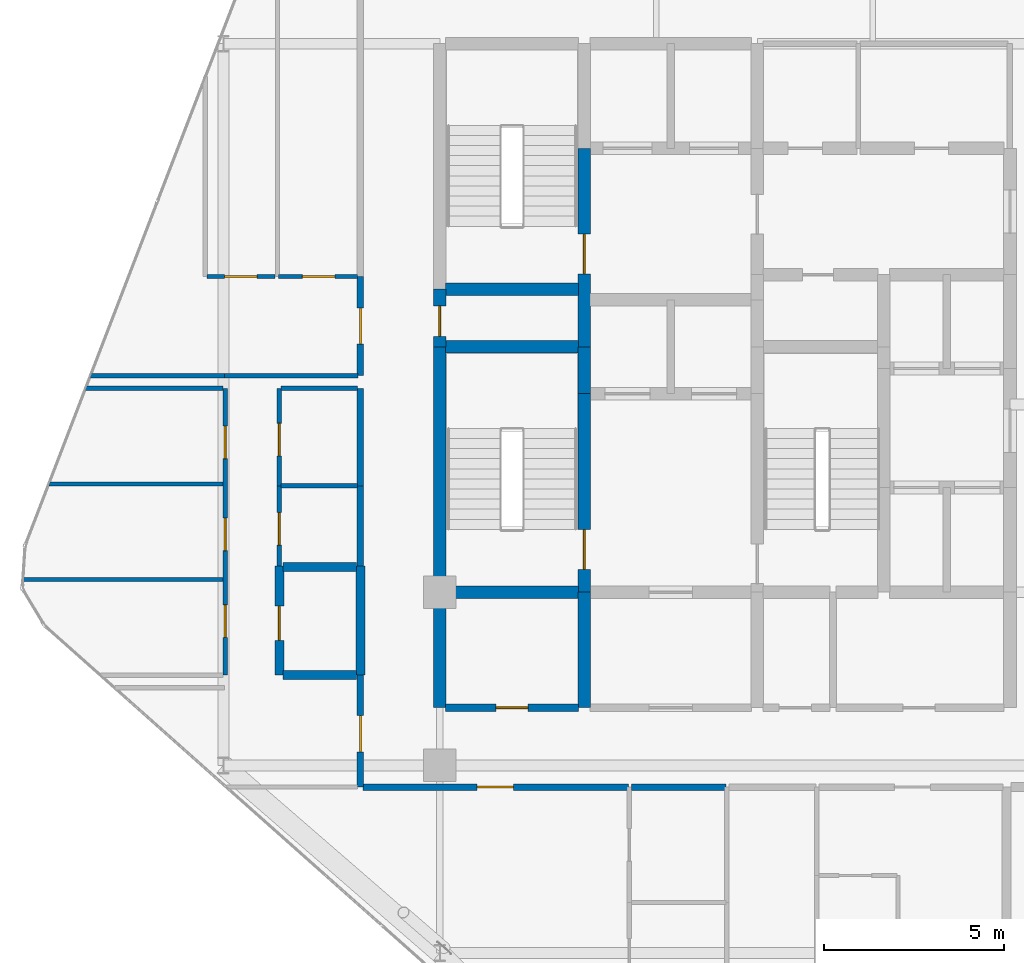
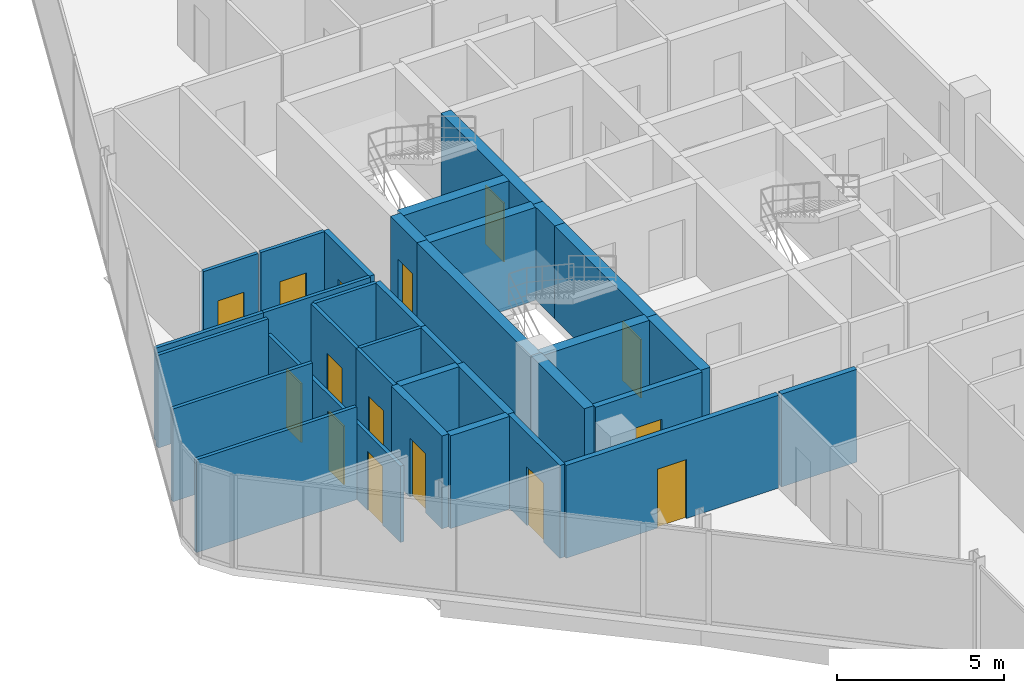
# One storey, part 24 of 29: 33 walls, 15 doors, 15 openings.
"""IFC4 building model written with IfcOpenShell, lengths in metres."""

from ifc_helpers import new_model, si_unit, direction, frame, frame_2d, origin, place, context, subcontext, project, spatial, rectangle, extrude, material, layer, layer_set, type_object, element, fill, save


model = new_model("IFC4")

# Units and contexts
model_context = context("Model", 3, precision=1e-05, world=origin(), true_north=direction((0.0, 1.0)))
body_context = subcontext(model_context, "Body", "Model", "MODEL_VIEW")
ifc_project = project(units=[si_unit("LENGTHUNIT", "METRE"), si_unit("AREAUNIT", "SQUARE_METRE"), si_unit("VOLUMEUNIT", "CUBIC_METRE"), si_unit("PLANEANGLEUNIT", "RADIAN"), si_unit("MASSUNIT", "GRAM", prefix="KILO")], contexts=[model_context])

# Site, building, storey
site_placement = place(None, origin())
site = spatial("IfcSite", under=ifc_project, at=site_placement, CompositionType="ELEMENT")
building_placement = place(site_placement, origin())
building = spatial("IfcBuilding", under=site, at=building_placement, Name="Keshet Zoharim Tower", CompositionType="ELEMENT")
storey_placement = place(building_placement, frame((0.0, 0.0, 169.10009765625)))
storey = spatial("IfcBuildingStorey", under=building, at=storey_placement, Name="L41", CompositionType="ELEMENT", Elevation=169.10009765625)

# Walls
ifc_material_1 = material(Name="Concrete C60/75", Category="concrete")
ifc_layer_1 = layer(ifc_material_1, 0.35009765625)
ifc_layer_set_1 = layer_set([ifc_layer_1], Name="Concrete C60/75")
wall_type_1 = type_object("IfcWallType", Name="WL-CORE-350", PredefinedType="SHEAR", material=ifc_layer_set_1)
wall_1_placement = place(storey_placement, frame((15.0, 19.5, 0.0), z_axis=(0.0, 0.0, 1.0), x_axis=(0.0, 1.0, 0.0)))
element("IfcWall", 1, at=wall_1_placement, inside=storey, type_object=wall_type_1, Name="L41 Core Shear Wall 013", PredefinedType="SHEAR", context=body_context, shape_type="SweptSolid", body=[
    extrude(rectangle(XDim=3.199951171875, YDim=0.35009765625, at=frame_2d((1.60009765625, 0.0))), origin(), (0.0, 0.0, 1.0), 3.389892578125),
])
wall_2_placement = place(storey_placement, frame((15.0, 22.699951171875, 0.0), z_axis=(0.0, 0.0, 1.0), x_axis=(0.0, 1.0, 0.0)))
element("IfcWall", 2, at=wall_2_placement, inside=storey, type_object=wall_type_1, Name="L41 Core Shear Wall 014", PredefinedType="SHEAR", context=body_context, shape_type="SweptSolid", body=[
    extrude(rectangle(XDim=6.800048828125, YDim=0.35009765625, at=frame_2d((3.39990234375, 0.0))), origin(), (0.0, 0.0, 1.0), 3.389892578125),
])

# Wall, opening, door
wall_3_placement = place(storey_placement, frame((15.0, 29.5, 0.0), z_axis=(0.0, 0.0, 1.0), x_axis=(0.0, 1.0, 0.0)))
wall_3 = element("IfcWall", 3, at=wall_3_placement, inside=storey, type_object=wall_type_1, Name="L41 Core Shear Wall 015", PredefinedType="SHEAR", context=body_context, shape_type="SweptSolid", body=[
    extrude(rectangle(XDim=1.60009765625, YDim=0.35009765625, at=frame_2d((0.800048828125, 0.0))), origin(), (0.0, 0.0, 1.0), 3.389892578125),
])
opening_1_placement = place(wall_3_placement, frame((0.287109375, 0.0, 0.0)))
opening_1 = element("IfcOpeningElement", 4, at=opening_1_placement, cuts=wall_3, Name="Opening D-RS85", PredefinedType="OPENING", context=body_context, shape_type="SweptSolid", body=[
    extrude(rectangle(XDim=0.85009765625, YDim=2.10009765625, at=frame_2d((0.425048828125, 1.050048828125))), frame((0.0, 0.18505859375, 0.0), z_axis=(0.0, -1.0, 0.0), x_axis=(1.0, 0.0, 0.0)), (0.0, 0.0, 1.0), 0.3701171875),
])
ifc_material_2 = material(Name="Hardwood Timber", Category="wood")
door_type_1 = type_object("IfcDoorType", Name="DR-RIS-085", OperationType="NOTDEFINED", PredefinedType="DOOR", material=ifc_material_2)
door_1_placement = place(opening_1_placement, origin())
door_1 = element("IfcDoor", 5, at=door_1_placement, inside=storey, type_object=door_type_1, Name="L41 Electrical Riser Access Cupboard Door", OperationType="SINGLE_SWING_RIGHT", OverallHeight=2.10009765625, OverallWidth=0.85009765625, PredefinedType="DOOR", context=body_context, shape_type="SweptSolid", body=[
    extrude(rectangle(XDim=0.85009765625, YDim=2.10009765625, at=frame_2d((0.425048828125, 1.050048828125))), frame((0.0, 0.02490234375, 0.0), z_axis=(0.0, -1.0, 0.0), x_axis=(1.0, 0.0, 0.0)), (0.0, 0.0, 1.0), 0.050048828125),
])
fill(opening_1, door_1)

# Wall
wall_4_placement = place(storey_placement, frame((19.0, 19.5, 0.0), z_axis=(0.0, 0.0, 1.0), x_axis=(0.0, 1.0, 0.0)))
element("IfcWall", 6, at=wall_4_placement, inside=storey, type_object=wall_type_1, Name="L41 Core Shear Wall 021", PredefinedType="SHEAR", context=body_context, shape_type="SweptSolid", body=[
    extrude(rectangle(XDim=3.199951171875, YDim=0.35009765625, at=frame_2d((1.60009765625, 0.0))), origin(), (0.0, 0.0, 1.0), 3.389892578125),
])

# Wall, opening, door
wall_5_placement = place(storey_placement, frame((19.0, 22.699951171875, 0.0), z_axis=(0.0, 0.0, 1.0), x_axis=(0.0, 1.0, 0.0)))
wall_5 = element("IfcWall", 7, at=wall_5_placement, inside=storey, type_object=wall_type_1, Name="L41 Core Shear Wall 022", PredefinedType="SHEAR", context=body_context, shape_type="SweptSolid", body=[
    extrude(rectangle(XDim=5.5, YDim=0.35009765625, at=frame_2d((2.75, 0.0))), origin(), (0.0, 0.0, 1.0), 3.389892578125),
])
opening_2_placement = place(wall_5_placement, frame((0.631103515625, 0.0, 0.0)))
opening_2 = element("IfcOpeningElement", 8, at=opening_2_placement, cuts=wall_5, Name="Opening D-F611", PredefinedType="OPENING", context=body_context, shape_type="SweptSolid", body=[
    extrude(rectangle(XDim=1.10009765625, YDim=2.14990234375, at=frame_2d((0.550048828125, 1.074951171875))), frame((0.0, 0.18505859375, 0.0), z_axis=(0.0, -1.0, 0.0), x_axis=(1.0, 0.0, 0.0)), (0.0, 0.0, 1.0), 0.3701171875),
])
door_type_2 = type_object("IfcDoorType", Name="DR-FD60-110", OperationType="NOTDEFINED", PredefinedType="DOOR", material=ifc_material_2)
door_2_placement = place(opening_2_placement, origin())
door_2 = element("IfcDoor", 9, at=door_2_placement, inside=storey, type_object=door_type_2, Name="L41 Exit Stair ST-01 Fire Door", OperationType="SINGLE_SWING_LEFT", OverallHeight=2.14990234375, OverallWidth=1.10009765625, PredefinedType="DOOR", context=body_context, shape_type="SweptSolid", body=[
    extrude(rectangle(XDim=1.10009765625, YDim=2.14990234375, at=frame_2d((0.550048828125, 1.074951171875))), frame((0.0, 0.02490234375, 0.0), z_axis=(0.0, -1.0, 0.0), x_axis=(1.0, 0.0, 0.0)), (0.0, 0.0, 1.0), 0.050048828125),
])
fill(opening_2, door_2)

# Wall
wall_6_placement = place(storey_placement, frame((19.0, 28.199951171875, 0.0), z_axis=(0.0, 0.0, 1.0), x_axis=(0.0, 1.0, 0.0)))
element("IfcWall", 10, at=wall_6_placement, inside=storey, type_object=wall_type_1, Name="L41 Core Shear Wall 023", PredefinedType="SHEAR", context=body_context, shape_type="SweptSolid", body=[
    extrude(rectangle(XDim=1.300048828125, YDim=0.35009765625, at=frame_2d((0.64990234375, 0.0))), origin(), (0.0, 0.0, 1.0), 3.389892578125),
])

# Wall, opening, door
wall_7_placement = place(storey_placement, frame((19.0, 29.5, 0.0), z_axis=(0.0, 0.0, 1.0), x_axis=(0.0, 1.0, 0.0)))
wall_7 = element("IfcWall", 11, at=wall_7_placement, inside=storey, type_object=wall_type_1, Name="L41 Core Shear Wall 024", PredefinedType="SHEAR", context=body_context, shape_type="SweptSolid", body=[
    extrude(rectangle(XDim=5.5, YDim=0.35009765625, at=frame_2d((2.75, 0.0))), origin(), (0.0, 0.0, 1.0), 3.389892578125),
])
opening_3_placement = place(wall_7_placement, frame((2.02490234375, 0.0, 0.0)))
opening_3 = element("IfcOpeningElement", 12, at=opening_3_placement, cuts=wall_7, Name="Opening D-F611", PredefinedType="OPENING", context=body_context, shape_type="SweptSolid", body=[
    extrude(rectangle(XDim=1.10009765625, YDim=2.14990234375, at=frame_2d((0.550048828125, 1.074951171875))), frame((0.0, 0.18505859375, 0.0), z_axis=(0.0, -1.0, 0.0), x_axis=(1.0, 0.0, 0.0)), (0.0, 0.0, 1.0), 0.3701171875),
])
door_3_placement = place(opening_3_placement, origin())
door_3 = element("IfcDoor", 13, at=door_3_placement, inside=storey, type_object=door_type_2, Name="L41 Exit Stair ST-02 Fire Door", OperationType="SINGLE_SWING_RIGHT", OverallHeight=2.14990234375, OverallWidth=1.10009765625, PredefinedType="DOOR", context=body_context, shape_type="SweptSolid", body=[
    extrude(rectangle(XDim=1.10009765625, YDim=2.14990234375, at=frame_2d((0.550048828125, 1.074951171875))), frame((0.0, 0.02490234375, 0.0), z_axis=(0.0, -1.0, 0.0), x_axis=(1.0, 0.0, 0.0)), (0.0, 0.0, 1.0), 0.050048828125),
])
fill(opening_3, door_3)

# Walls
for number, where, z_axis, x_axis, name in (
    (14, (15.159912109375, 22.699951171875, 0.0), (0.0, 0.0, 1.0), (1.0, 0.0, 0.0), "L41 Core Shear Wall 131"),
    (15, (15.159912109375, 29.5, 0.0), (0.0, 0.0, 1.0), (1.0, 0.0, 0.0), "L41 Core Shear Wall 147"),
    (16, (15.159912109375, 31.10009765625, 0.0), (0.0, 0.0, 1.0), (1.0, 0.0, 0.0), "L41 Core Shear Wall 150"),
):
    element("IfcWall", number, at=place(storey_placement, frame(where, z_axis=z_axis, x_axis=x_axis)), inside=storey, type_object=wall_type_1, Name=name, PredefinedType="SHEAR", context=body_context, shape_type="SweptSolid", body=[
        extrude(rectangle(XDim=3.68017578125, YDim=0.35009765625, at=frame_2d((1.840087890625, 0.0))), origin(), (0.0, 0.0, 1.0), 3.389892578125),
    ])

# Wall, opening, door
ifc_material_3 = material(Name="Gypsum Plasterboard", Category="gypsum")
ifc_layer_2 = layer(ifc_material_3, 0.179931640625)
ifc_layer_set_2 = layer_set([ifc_layer_2], Name="Gypsum Plasterboard")
wall_type_2 = type_object("IfcWallType", Name="WL-CORR-180", PredefinedType="STANDARD", material=ifc_layer_set_2)
wall_8_placement = place(storey_placement, frame((12.800048828125, 17.300048828125, 0.0), z_axis=(0.0, 0.0, 1.0), x_axis=(0.0, 1.0, 0.0)))
wall_8 = element("IfcWall", 17, at=wall_8_placement, inside=storey, type_object=wall_type_2, Name="L41 Interior Wall 007", PredefinedType="STANDARD", context=body_context, shape_type="SweptSolid", body=[
    extrude(rectangle(XDim=3.099853515625, YDim=0.179931640625, at=frame_2d((1.5498046875, 0.0))), origin(), (0.0, 0.0, 1.0), 3.389892578125),
])
opening_4_placement = place(wall_8_placement, frame((0.97802734375, 0.0, 0.0)))
opening_4 = element("IfcOpeningElement", 18, at=opening_4_placement, cuts=wall_8, Name="Opening D-F310", PredefinedType="OPENING", context=body_context, shape_type="SweptSolid", body=[
    extrude(rectangle(XDim=1.0, YDim=2.14990234375, at=frame_2d((0.5, 1.074951171875))), frame((0.0, 0.10009765625, 0.0), z_axis=(0.0, -1.0, 0.0), x_axis=(1.0, 0.0, 0.0)), (0.0, 0.0, 1.0), 0.199951171875),
])
door_type_3 = type_object("IfcDoorType", Name="DR-FD30-100", OperationType="NOTDEFINED", PredefinedType="DOOR", material=ifc_material_2)
door_4_placement = place(opening_4_placement, origin())
door_4 = element("IfcDoor", 19, at=door_4_placement, inside=storey, type_object=door_type_3, Name="Apartment 4107 Entrance Door", OperationType="SINGLE_SWING_RIGHT", OverallHeight=2.14990234375, OverallWidth=1.0, PredefinedType="DOOR", context=body_context, shape_type="SweptSolid", body=[
    extrude(rectangle(XDim=1.0, YDim=2.14990234375, at=frame_2d((0.5, 1.074951171875))), frame((0.0, 0.02490234375, 0.0), z_axis=(0.0, -1.0, 0.0), x_axis=(1.0, 0.0, 0.0)), (0.0, 0.0, 1.0), 0.050048828125),
])
fill(opening_4, door_4)

# Walls
wall_9_placement = place(storey_placement, frame((12.800048828125, 23.4208984375, 0.0), z_axis=(0.0, 0.0, 1.0), x_axis=(0.0, 1.0, 0.0)))
element("IfcWall", 20, at=wall_9_placement, inside=storey, type_object=wall_type_2, Name="L41 Interior Wall 009", PredefinedType="STANDARD", context=body_context, shape_type="SweptSolid", body=[
    extrude(rectangle(XDim=2.22607421875, YDim=0.179931640625, at=frame_2d((1.113037109375, 0.0))), origin(), (0.0, 0.0, 1.0), 3.389892578125),
])
wall_10_placement = place(storey_placement, frame((12.800048828125, 25.64697265625, 0.0), z_axis=(0.0, 0.0, 1.0), x_axis=(0.0, 1.0, 0.0)))
element("IfcWall", 21, at=wall_10_placement, inside=storey, type_object=wall_type_2, Name="L41 Interior Wall 010", PredefinedType="STANDARD", context=body_context, shape_type="SweptSolid", body=[
    extrude(rectangle(XDim=2.703125, YDim=0.179931640625, at=frame_2d((1.3515625, 0.0))), origin(), (0.0, 0.0, 1.0), 3.389892578125),
])

# Wall, opening, door
wall_11_placement = place(storey_placement, frame((12.800048828125, 28.699951171875, 0.0), z_axis=(0.0, 0.0, 1.0), x_axis=(0.0, 1.0, 0.0)))
wall_11 = element("IfcWall", 22, at=wall_11_placement, inside=storey, type_object=wall_type_2, Name="L41 Interior Wall 011", PredefinedType="STANDARD", context=body_context, shape_type="SweptSolid", body=[
    extrude(rectangle(XDim=2.75, YDim=0.179931640625, at=frame_2d((1.375, 0.0))), origin(), (0.0, 0.0, 1.0), 3.389892578125),
])
opening_5_placement = place(wall_11_placement, frame((0.875, 0.0, 0.0)))
opening_5 = element("IfcOpeningElement", 23, at=opening_5_placement, cuts=wall_11, Name="Opening D-F310", PredefinedType="OPENING", context=body_context, shape_type="SweptSolid", body=[
    extrude(rectangle(XDim=1.0, YDim=2.14990234375, at=frame_2d((0.5, 1.074951171875))), frame((0.0, 0.10009765625, 0.0), z_axis=(0.0, -1.0, 0.0), x_axis=(1.0, 0.0, 0.0)), (0.0, 0.0, 1.0), 0.199951171875),
])
door_5_placement = place(opening_5_placement, origin())
door_5 = element("IfcDoor", 24, at=door_5_placement, inside=storey, type_object=door_type_3, Name="Apartment 4108 Entrance Door", OperationType="SINGLE_SWING_LEFT", OverallHeight=2.14990234375, OverallWidth=1.0, PredefinedType="DOOR", context=body_context, shape_type="SweptSolid", body=[
    extrude(rectangle(XDim=1.0, YDim=2.14990234375, at=frame_2d((0.5, 1.074951171875))), frame((0.0, 0.02490234375, 0.0), z_axis=(0.0, -1.0, 0.0), x_axis=(1.0, 0.0, 0.0)), (0.0, 0.0, 1.0), 0.050048828125),
])
fill(opening_5, door_5)

wall_12_placement = place(storey_placement, frame((12.875, 17.300048828125, 0.0), z_axis=(0.0, 0.0, 1.0), x_axis=(1.0, 0.0, 0.0)))
wall_12 = element("IfcWall", 25, at=wall_12_placement, inside=storey, type_object=wall_type_2, Name="L41 Interior Wall 110", PredefinedType="STANDARD", context=body_context, shape_type="SweptSolid", body=[
    extrude(rectangle(XDim=7.35009765625, YDim=0.179931640625, at=frame_2d((3.675048828125, 0.0))), origin(), (0.0, 0.0, 1.0), 3.389892578125),
])
opening_6_placement = place(wall_12_placement, frame((3.159912109375, 0.0, 0.0)))
opening_6 = element("IfcOpeningElement", 26, at=opening_6_placement, cuts=wall_12, Name="Opening D-F310", PredefinedType="OPENING", context=body_context, shape_type="SweptSolid", body=[
    extrude(rectangle(XDim=1.0, YDim=2.14990234375, at=frame_2d((0.5, 1.074951171875))), frame((0.0, 0.10009765625, 0.0), z_axis=(0.0, -1.0, 0.0), x_axis=(1.0, 0.0, 0.0)), (0.0, 0.0, 1.0), 0.199951171875),
])
door_6_placement = place(opening_6_placement, origin())
door_6 = element("IfcDoor", 27, at=door_6_placement, inside=storey, type_object=door_type_3, Name="Apartment 4101 Entrance Door", OperationType="SINGLE_SWING_RIGHT", OverallHeight=2.14990234375, OverallWidth=1.0, PredefinedType="DOOR", context=body_context, shape_type="SweptSolid", body=[
    extrude(rectangle(XDim=1.0, YDim=2.14990234375, at=frame_2d((0.5, 1.074951171875))), frame((0.0, 0.02490234375, 0.0), z_axis=(0.0, -1.0, 0.0), x_axis=(1.0, 0.0, 0.0)), (0.0, 0.0, 1.0), 0.050048828125),
])
fill(opening_6, door_6)

# Wall
wall_13_placement = place(storey_placement, frame((20.31494140625, 17.300048828125, 0.0), z_axis=(0.0, 0.0, 1.0), x_axis=(1.0, 0.0, 0.0)))
element("IfcWall", 28, at=wall_13_placement, inside=storey, type_object=wall_type_2, Name="L41 Interior Wall 111", PredefinedType="STANDARD", context=body_context, shape_type="SweptSolid", body=[
    extrude(rectangle(XDim=2.610107421875, YDim=0.179931640625, at=frame_2d((1.30517578125, 0.0))), origin(), (0.0, 0.0, 1.0), 3.389892578125),
])

# Wall, opening, door
ifc_material_4 = material(Name="Concrete C50/60", Category="concrete")
ifc_layer_3 = layer(ifc_material_4, 0.199951171875)
ifc_layer_set_3 = layer_set([ifc_layer_3], Name="Concrete C50/60")
wall_type_3 = type_object("IfcWallType", Name="WL-FIRE-200", PredefinedType="STANDARD", material=ifc_layer_set_3)
wall_14_placement = place(storey_placement, frame((15.159912109375, 19.5, 0.0), z_axis=(0.0, 0.0, 1.0), x_axis=(1.0, 0.0, 0.0)))
wall_14 = element("IfcWall", 29, at=wall_14_placement, inside=storey, type_object=wall_type_3, Name="L41 Interior Wall 123", PredefinedType="STANDARD", context=body_context, shape_type="SweptSolid", body=[
    extrude(rectangle(XDim=3.68017578125, YDim=0.199951171875, at=frame_2d((1.840087890625, 0.0))), origin(), (0.0, 0.0, 1.0), 3.389892578125),
])
opening_7_placement = place(wall_14_placement, frame((1.389892578125, 0.0, 0.0)))
opening_7 = element("IfcOpeningElement", 30, at=opening_7_placement, cuts=wall_14, Name="Opening D-F690", PredefinedType="OPENING", context=body_context, shape_type="SweptSolid", body=[
    extrude(rectangle(XDim=0.89990234375, YDim=2.14990234375, at=frame_2d((0.449951171875, 1.074951171875))), frame((0.0, 0.10986328125, 0.0), z_axis=(0.0, -1.0, 0.0), x_axis=(1.0, 0.0, 0.0)), (0.0, 0.0, 1.0), 0.219970703125),
])
door_type_4 = type_object("IfcDoorType", Name="DR-FD60-090", OperationType="NOTDEFINED", PredefinedType="DOOR", material=ifc_material_2)
door_7_placement = place(opening_7_placement, origin())
door_7 = element("IfcDoor", 31, at=door_7_placement, inside=storey, type_object=door_type_4, Name="L41 Refuse Room Door", OperationType="SINGLE_SWING_LEFT", OverallHeight=2.14990234375, OverallWidth=0.89990234375, PredefinedType="DOOR", context=body_context, shape_type="SweptSolid", body=[
    extrude(rectangle(XDim=0.89990234375, YDim=2.14990234375, at=frame_2d((0.449951171875, 1.074951171875))), frame((0.0, 0.02490234375, 0.0), z_axis=(0.0, -1.0, 0.0), x_axis=(1.0, 0.0, 0.0)), (0.0, 0.0, 1.0), 0.050048828125),
])
fill(opening_7, door_7)

ifc_layer_4 = layer(ifc_material_4, 0.25)
ifc_layer_set_4 = layer_set([ifc_layer_4], Name="Concrete C50/60")
wall_type_4 = type_object("IfcWallType", Name="WL-MAMAD-250", PredefinedType="STANDARD", material=ifc_layer_set_4)
wall_15_placement = place(storey_placement, frame((10.550048828125, 20.39990234375, 0.0), z_axis=(0.0, 0.0, 1.0), x_axis=(0.0, 1.0, 0.0)))
wall_15 = element("IfcWall", 32, at=wall_15_placement, inside=storey, type_object=wall_type_4, Name="L41 Interior Wall 004", PredefinedType="STANDARD", context=body_context, shape_type="SweptSolid", body=[
    extrude(rectangle(XDim=3.02099609375, YDim=0.25, at=frame_2d((1.510498046875, 0.0))), origin(), (0.0, 0.0, 1.0), 3.389892578125),
])
opening_8_placement = place(wall_15_placement, frame((0.964111328125, 0.0, 0.0)))
opening_8 = element("IfcOpeningElement", 33, at=opening_8_placement, cuts=wall_15, Name="Opening D-F695", PredefinedType="OPENING", context=body_context, shape_type="SweptSolid", body=[
    extrude(rectangle(XDim=0.949951171875, YDim=2.14990234375, at=frame_2d((0.47509765625, 1.074951171875))), frame((0.0, 0.135009765625, 0.0), z_axis=(0.0, -1.0, 0.0), x_axis=(1.0, 0.0, 0.0)), (0.0, 0.0, 1.0), 0.27001953125),
])
door_type_5 = type_object("IfcDoorType", Name="DR-FD60-095", OperationType="NOTDEFINED", PredefinedType="DOOR", material=ifc_material_2)
door_8_placement = place(opening_8_placement, origin())
door_8 = element("IfcDoor", 34, at=door_8_placement, inside=storey, type_object=door_type_5, Name="Apartment 4107 Study and Shelter Room Door", OperationType="SINGLE_SWING_LEFT", OverallHeight=2.14990234375, OverallWidth=0.949951171875, PredefinedType="DOOR", context=body_context, shape_type="SweptSolid", body=[
    extrude(rectangle(XDim=0.949951171875, YDim=2.14990234375, at=frame_2d((0.47509765625, 1.074951171875))), frame((0.0, 0.02490234375, 0.0), z_axis=(0.0, -1.0, 0.0), x_axis=(1.0, 0.0, 0.0)), (0.0, 0.0, 1.0), 0.050048828125),
])
fill(opening_8, door_8)

# Walls
wall_16_placement = place(storey_placement, frame((12.800048828125, 20.39990234375, 0.0), z_axis=(0.0, 0.0, 1.0), x_axis=(0.0, 1.0, 0.0)))
element("IfcWall", 35, at=wall_16_placement, inside=storey, type_object=wall_type_4, Name="L41 Interior Wall 008", PredefinedType="STANDARD", context=body_context, shape_type="SweptSolid", body=[
    extrude(rectangle(XDim=3.02099609375, YDim=0.25, at=frame_2d((1.510498046875, 0.0))), origin(), (0.0, 0.0, 1.0), 3.389892578125),
])
for number, where, z_axis, x_axis, name in (
    (36, (10.659912109375, 20.39990234375, 0.0), (0.0, 0.0, 1.0), (1.0, 0.0, 0.0), "L41 Interior Wall 130"),
    (37, (10.659912109375, 23.39990234375, 0.0), (0.0, 0.0, 1.0), (1.0, 0.0, 0.0), "L41 Interior Wall 137"),
):
    element("IfcWall", number, at=place(storey_placement, frame(where, z_axis=z_axis, x_axis=x_axis)), inside=storey, type_object=wall_type_4, Name=name, PredefinedType="STANDARD", context=body_context, shape_type="SweptSolid", body=[
        extrude(rectangle(XDim=2.030029296875, YDim=0.25, at=frame_2d((1.01513671875, 0.0))), origin(), (0.0, 0.0, 1.0), 3.389892578125),
    ])

# Wall, openings, doors
ifc_layer_5 = layer(ifc_material_3, 0.1201171875)
ifc_layer_set_5 = layer_set([ifc_layer_5], Name="Gypsum Plasterboard")
wall_type_5 = type_object("IfcWallType", Name="WL-PART-120", PredefinedType="PARTITIONING", material=ifc_layer_set_5)
wall_17_placement = place(storey_placement, frame((9.050048828125, 20.39990234375, 0.0), z_axis=(0.0, 0.0, 1.0), x_axis=(0.0, 1.0, 0.0)))
wall_17 = element("IfcWall", 38, at=wall_17_placement, inside=storey, type_object=wall_type_5, Name="L41 Interior Wall 002", PredefinedType="PARTITIONING", context=body_context, shape_type="SweptSolid", body=[
    extrude(rectangle(XDim=7.9501953125, YDim=0.1201171875, at=frame_2d((3.97509765625, 0.0))), origin(), (0.0, 0.0, 1.0), 2.789794921875),
])
opening_9_placement = place(wall_17_placement, frame((1.050048828125, 0.0, 0.0)))
opening_9 = element("IfcOpeningElement", 39, at=opening_9_placement, cuts=wall_17, Name="Opening D-IN90", PredefinedType="OPENING", context=body_context, shape_type="SweptSolid", body=[
    extrude(rectangle(XDim=0.89990234375, YDim=2.14990234375, at=frame_2d((0.449951171875, 1.074951171875))), frame((0.0, 0.070068359375, 0.0), z_axis=(0.0, -1.0, 0.0), x_axis=(1.0, 0.0, 0.0)), (0.0, 0.0, 1.0), 0.14013671875),
])
opening_10_placement = place(wall_17_placement, frame((3.455078125, 0.0, 0.0)))
opening_10 = element("IfcOpeningElement", 40, at=opening_10_placement, cuts=wall_17, Name="Opening D-IN90", PredefinedType="OPENING", context=body_context, shape_type="SweptSolid", body=[
    extrude(rectangle(XDim=0.89990234375, YDim=2.14990234375, at=frame_2d((0.449951171875, 1.074951171875))), frame((0.0, 0.070068359375, 0.0), z_axis=(0.0, -1.0, 0.0), x_axis=(1.0, 0.0, 0.0)), (0.0, 0.0, 1.0), 0.14013671875),
])
opening_11_placement = place(wall_17_placement, frame((6.0, 0.0, 0.0)))
opening_11 = element("IfcOpeningElement", 41, at=opening_11_placement, cuts=wall_17, Name="Opening D-IN90", PredefinedType="OPENING", context=body_context, shape_type="SweptSolid", body=[
    extrude(rectangle(XDim=0.89990234375, YDim=2.14990234375, at=frame_2d((0.449951171875, 1.074951171875))), frame((0.0, 0.070068359375, 0.0), z_axis=(0.0, -1.0, 0.0), x_axis=(1.0, 0.0, 0.0)), (0.0, 0.0, 1.0), 0.14013671875),
])
door_type_6 = type_object("IfcDoorType", Name="DR-INT-090", OperationType="NOTDEFINED", PredefinedType="DOOR", material=ifc_material_2)
door_9_placement = place(opening_9_placement, origin())
door_9 = element("IfcDoor", 42, at=door_9_placement, inside=storey, type_object=door_type_6, Name="Apartment 4107 Bedroom 1 Door", OperationType="SINGLE_SWING_RIGHT", OverallHeight=2.14990234375, OverallWidth=0.89990234375, PredefinedType="DOOR", context=body_context, shape_type="SweptSolid", body=[
    extrude(rectangle(XDim=0.89990234375, YDim=2.14990234375, at=frame_2d((0.449951171875, 1.074951171875))), frame((0.0, 0.02490234375, 0.0), z_axis=(0.0, -1.0, 0.0), x_axis=(1.0, 0.0, 0.0)), (0.0, 0.0, 1.0), 0.050048828125),
])
fill(opening_9, door_9)
door_10_placement = place(opening_10_placement, origin())
door_10 = element("IfcDoor", 43, at=door_10_placement, inside=storey, type_object=door_type_6, Name="Apartment 4107 Bedroom 2 Door", OperationType="SINGLE_SWING_LEFT", OverallHeight=2.14990234375, OverallWidth=0.89990234375, PredefinedType="DOOR", context=body_context, shape_type="SweptSolid", body=[
    extrude(rectangle(XDim=0.89990234375, YDim=2.14990234375, at=frame_2d((0.449951171875, 1.074951171875))), frame((0.0, 0.02490234375, 0.0), z_axis=(0.0, -1.0, 0.0), x_axis=(1.0, 0.0, 0.0)), (0.0, 0.0, 1.0), 0.050048828125),
])
fill(opening_10, door_10)
door_11_placement = place(opening_11_placement, origin())
door_11 = element("IfcDoor", 44, at=door_11_placement, inside=storey, type_object=door_type_6, Name="Apartment 4107 Bedroom 3 Door", OperationType="SINGLE_SWING_RIGHT", OverallHeight=2.14990234375, OverallWidth=0.89990234375, PredefinedType="DOOR", context=body_context, shape_type="SweptSolid", body=[
    extrude(rectangle(XDim=0.89990234375, YDim=2.14990234375, at=frame_2d((0.449951171875, 1.074951171875))), frame((0.0, 0.02490234375, 0.0), z_axis=(0.0, -1.0, 0.0), x_axis=(1.0, 0.0, 0.0)), (0.0, 0.0, 1.0), 0.050048828125),
])
fill(opening_11, door_11)

# Wall, opening, door
wall_18_placement = place(storey_placement, frame((10.550048828125, 25.64697265625, 0.0), z_axis=(0.0, 0.0, 1.0), x_axis=(0.0, 1.0, 0.0)))
wall_18 = element("IfcWall", 45, at=wall_18_placement, inside=storey, type_object=wall_type_5, Name="L41 Interior Wall 006", PredefinedType="PARTITIONING", context=body_context, shape_type="SweptSolid", body=[
    extrude(rectangle(XDim=2.703125, YDim=0.1201171875, at=frame_2d((1.3515625, 0.0))), origin(), (0.0, 0.0, 1.0), 3.389892578125),
])
opening_12_placement = place(wall_18_placement, frame((0.830078125, 0.0, 0.0)))
opening_12 = element("IfcOpeningElement", 46, at=opening_12_placement, cuts=wall_18, Name="Opening D-IN90", PredefinedType="OPENING", context=body_context, shape_type="SweptSolid", body=[
    extrude(rectangle(XDim=0.89990234375, YDim=2.14990234375, at=frame_2d((0.449951171875, 1.074951171875))), frame((0.0, 0.070068359375, 0.0), z_axis=(0.0, -1.0, 0.0), x_axis=(1.0, 0.0, 0.0)), (0.0, 0.0, 1.0), 0.14013671875),
])
door_12_placement = place(opening_12_placement, origin())
door_12 = element("IfcDoor", 47, at=door_12_placement, inside=storey, type_object=door_type_6, Name="Apartment 4107 Kitchen Door", OperationType="SINGLE_SWING_LEFT", OverallHeight=2.14990234375, OverallWidth=0.89990234375, PredefinedType="DOOR", context=body_context, shape_type="SweptSolid", body=[
    extrude(rectangle(XDim=0.89990234375, YDim=2.14990234375, at=frame_2d((0.449951171875, 1.074951171875))), frame((0.0, 0.02490234375, 0.0), z_axis=(0.0, -1.0, 0.0), x_axis=(1.0, 0.0, 0.0)), (0.0, 0.0, 1.0), 0.050048828125),
])
fill(opening_12, door_12)

# Walls
wall_19_placement = place(storey_placement, frame((3.446044921875, 23.050048828125, 0.0), z_axis=(0.0, 0.0, 1.0), x_axis=(1.0, 0.0, 0.0)))
element("IfcWall", 48, at=wall_19_placement, inside=storey, type_object=wall_type_5, Name="L41 Interior Wall 136", PredefinedType="PARTITIONING", context=body_context, shape_type="SweptSolid", body=[
    extrude(rectangle(XDim=5.5390625, YDim=0.1201171875, at=frame_2d((2.76953125, 0.0))), origin(), (0.0, 0.0, 1.0), 3.389892578125),
])
wall_20_placement = place(storey_placement, frame((4.1640625, 25.699951171875, 0.0), z_axis=(0.0, 0.0, 1.0), x_axis=(1.0, 0.0, 0.0)))
element("IfcWall", 49, at=wall_20_placement, inside=storey, type_object=wall_type_5, Name="L41 Interior Wall 140", PredefinedType="PARTITIONING", context=body_context, shape_type="SweptSolid", body=[
    extrude(rectangle(XDim=4.821044921875, YDim=0.1201171875, at=frame_2d((2.41064453125, 0.0))), origin(), (0.0, 0.0, 1.0), 3.389892578125),
])
wall_21_placement = place(storey_placement, frame((5.18310546875, 28.35009765625, 0.0), z_axis=(0.0, 0.0, 1.0), x_axis=(1.0, 0.0, 0.0)))
element("IfcWall", 50, at=wall_21_placement, inside=storey, type_object=wall_type_5, Name="L41 Interior Wall 142", PredefinedType="PARTITIONING", context=body_context, shape_type="SweptSolid", body=[
    extrude(rectangle(XDim=3.802001953125, YDim=0.1201171875, at=frame_2d((1.90087890625, 0.0))), origin(), (0.0, 0.0, 1.0), 3.389892578125),
])
wall_22_placement = place(storey_placement, frame((10.594970703125, 28.35009765625, 0.0), z_axis=(0.0, 0.0, 1.0), x_axis=(1.0, 0.0, 0.0)))
element("IfcWall", 51, at=wall_22_placement, inside=storey, type_object=wall_type_5, Name="L41 Interior Wall 143", PredefinedType="PARTITIONING", context=body_context, shape_type="SweptSolid", body=[
    extrude(rectangle(XDim=2.130126953125, YDim=0.1201171875, at=frame_2d((1.06494140625, 0.0))), origin(), (0.0, 0.0, 1.0), 3.389892578125),
])
wall_23_placement = place(storey_placement, frame((5.31689453125, 28.699951171875, 0.0), z_axis=(0.0, 0.0, 1.0), x_axis=(1.0, 0.0, 0.0)))
element("IfcWall", 52, at=wall_23_placement, inside=storey, type_object=wall_type_5, Name="L41 Interior Wall 144", PredefinedType="PARTITIONING", context=body_context, shape_type="SweptSolid", body=[
    extrude(rectangle(XDim=3.713134765625, YDim=0.1201171875, at=frame_2d((1.8564453125, 0.0))), origin(), (0.0, 0.0, 1.0), 3.389892578125),
])
wall_24_placement = place(storey_placement, frame((9.030029296875, 28.699951171875, 0.0), z_axis=(0.0, 0.0, 1.0), x_axis=(1.0, 0.0, 0.0)))
element("IfcWall", 53, at=wall_24_placement, inside=storey, type_object=wall_type_5, Name="L41 Interior Wall 145", PredefinedType="PARTITIONING", context=body_context, shape_type="SweptSolid", body=[
    extrude(rectangle(XDim=3.695068359375, YDim=0.1201171875, at=frame_2d((1.84765625, 0.0))), origin(), (0.0, 0.0, 1.0), 3.389892578125),
])

# Wall, opening, door
wall_25_placement = place(storey_placement, frame((8.544921875, 31.449951171875, 0.0), z_axis=(0.0, 0.0, 1.0), x_axis=(1.0, 0.0, 0.0)))
wall_25 = element("IfcWall", 54, at=wall_25_placement, inside=storey, type_object=wall_type_5, Name="L41 Interior Wall 151", PredefinedType="PARTITIONING", context=body_context, shape_type="SweptSolid", body=[
    extrude(rectangle(XDim=1.88818359375, YDim=0.1201171875, at=frame_2d((0.944091796875, 0.0))), origin(), (0.0, 0.0, 1.0), 3.389892578125),
])
opening_13_placement = place(wall_25_placement, frame((0.493896484375, 0.0, 0.0)))
opening_13 = element("IfcOpeningElement", 55, at=opening_13_placement, cuts=wall_25, Name="Opening D-IN90", PredefinedType="OPENING", context=body_context, shape_type="SweptSolid", body=[
    extrude(rectangle(XDim=0.89990234375, YDim=2.14990234375, at=frame_2d((0.449951171875, 1.074951171875))), frame((0.0, 0.070068359375, 0.0), z_axis=(0.0, -1.0, 0.0), x_axis=(1.0, 0.0, 0.0)), (0.0, 0.0, 1.0), 0.14013671875),
])
door_13_placement = place(opening_13_placement, origin())
door_13 = element("IfcDoor", 56, at=door_13_placement, inside=storey, type_object=door_type_6, Name="Apartment 4108 Kitchen Door", OperationType="SINGLE_SWING_LEFT", OverallHeight=2.14990234375, OverallWidth=0.89990234375, PredefinedType="DOOR", context=body_context, shape_type="SweptSolid", body=[
    extrude(rectangle(XDim=0.89990234375, YDim=2.14990234375, at=frame_2d((0.449951171875, 1.074951171875))), frame((0.0, 0.02490234375, 0.0), z_axis=(0.0, -1.0, 0.0), x_axis=(1.0, 0.0, 0.0)), (0.0, 0.0, 1.0), 0.050048828125),
])
fill(opening_13, door_13)

ifc_layer_6 = layer(ifc_material_3, 0.1201171875)
ifc_layer_set_6 = layer_set([ifc_layer_6], Name="Gypsum Plasterboard")
wall_type_6 = type_object("IfcWallType", Name="WL-WET-120", PredefinedType="PARTITIONING", material=ifc_layer_set_6)
wall_26_placement = place(storey_placement, frame((10.550048828125, 23.4208984375, 0.0), z_axis=(0.0, 0.0, 1.0), x_axis=(0.0, 1.0, 0.0)))
wall_26 = element("IfcWall", 57, at=wall_26_placement, inside=storey, type_object=wall_type_6, Name="L41 Interior Wall 005", PredefinedType="PARTITIONING", context=body_context, shape_type="SweptSolid", body=[
    extrude(rectangle(XDim=2.22607421875, YDim=0.1201171875, at=frame_2d((1.113037109375, 0.0))), origin(), (0.0, 0.0, 1.0), 3.389892578125),
])
opening_14_placement = place(wall_26_placement, frame((0.583984375, 0.0, 0.0)))
opening_14 = element("IfcOpeningElement", 58, at=opening_14_placement, cuts=wall_26, Name="Opening D-WT90", PredefinedType="OPENING", context=body_context, shape_type="SweptSolid", body=[
    extrude(rectangle(XDim=0.89990234375, YDim=2.10009765625, at=frame_2d((0.449951171875, 1.050048828125))), frame((0.0, 0.070068359375, 0.0), z_axis=(0.0, -1.0, 0.0), x_axis=(1.0, 0.0, 0.0)), (0.0, 0.0, 1.0), 0.14013671875),
])
door_type_7 = type_object("IfcDoorType", Name="DR-WET-090", OperationType="NOTDEFINED", PredefinedType="DOOR", material=ifc_material_2)
door_14_placement = place(opening_14_placement, origin())
door_14 = element("IfcDoor", 59, at=door_14_placement, inside=storey, type_object=door_type_7, Name="Apartment 4107 Bathroom Door", OperationType="SINGLE_SWING_RIGHT", OverallHeight=2.10009765625, OverallWidth=0.89990234375, PredefinedType="DOOR", context=body_context, shape_type="SweptSolid", body=[
    extrude(rectangle(XDim=0.89990234375, YDim=2.10009765625, at=frame_2d((0.449951171875, 1.050048828125))), frame((0.0, 0.02490234375, 0.0), z_axis=(0.0, -1.0, 0.0), x_axis=(1.0, 0.0, 0.0)), (0.0, 0.0, 1.0), 0.050048828125),
])
fill(opening_14, door_14)

# Wall
wall_27_placement = place(storey_placement, frame((10.594970703125, 25.64990234375, 0.0), z_axis=(0.0, 0.0, 1.0), x_axis=(1.0, 0.0, 0.0)))
element("IfcWall", 60, at=wall_27_placement, inside=storey, type_object=wall_type_6, Name="L41 Interior Wall 139", PredefinedType="PARTITIONING", context=body_context, shape_type="SweptSolid", body=[
    extrude(rectangle(XDim=2.130126953125, YDim=0.1201171875, at=frame_2d((1.06494140625, 0.0))), origin(), (0.0, 0.0, 1.0), 3.389892578125),
])

# Wall, opening, door
wall_28_placement = place(storey_placement, frame((10.52294921875, 31.449951171875, 0.0), z_axis=(0.0, 0.0, 1.0), x_axis=(1.0, 0.0, 0.0)))
wall_28 = element("IfcWall", 61, at=wall_28_placement, inside=storey, type_object=wall_type_6, Name="L41 Interior Wall 152", PredefinedType="PARTITIONING", context=body_context, shape_type="SweptSolid", body=[
    extrude(rectangle(XDim=2.2021484375, YDim=0.1201171875, at=frame_2d((1.10107421875, 0.0))), origin(), (0.0, 0.0, 1.0), 3.389892578125),
])
opening_15_placement = place(wall_28_placement, frame((0.666015625, 0.0, 0.0)))
opening_15 = element("IfcOpeningElement", 62, at=opening_15_placement, cuts=wall_28, Name="Opening D-WT90", PredefinedType="OPENING", context=body_context, shape_type="SweptSolid", body=[
    extrude(rectangle(XDim=0.89990234375, YDim=2.10009765625, at=frame_2d((0.449951171875, 1.050048828125))), frame((0.0, 0.070068359375, 0.0), z_axis=(0.0, -1.0, 0.0), x_axis=(1.0, 0.0, 0.0)), (0.0, 0.0, 1.0), 0.14013671875),
])
door_15_placement = place(opening_15_placement, origin())
door_15 = element("IfcDoor", 63, at=door_15_placement, inside=storey, type_object=door_type_7, Name="Apartment 4108 Bathroom Door", OperationType="SINGLE_SWING_RIGHT", OverallHeight=2.10009765625, OverallWidth=0.89990234375, PredefinedType="DOOR", context=body_context, shape_type="SweptSolid", body=[
    extrude(rectangle(XDim=0.89990234375, YDim=2.10009765625, at=frame_2d((0.449951171875, 1.050048828125))), frame((0.0, 0.02490234375, 0.0), z_axis=(0.0, -1.0, 0.0), x_axis=(1.0, 0.0, 0.0)), (0.0, 0.0, 1.0), 0.050048828125),
])
fill(opening_15, door_15)

save(model, "model.ifc")
